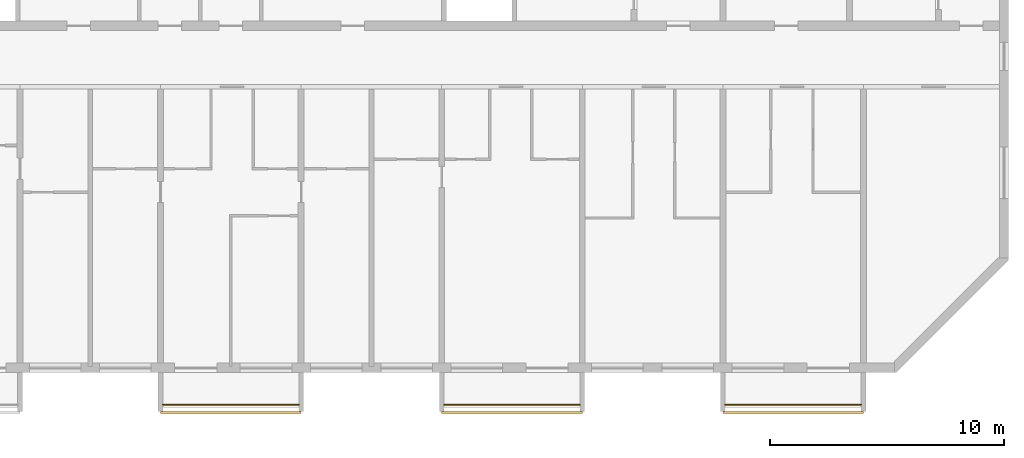
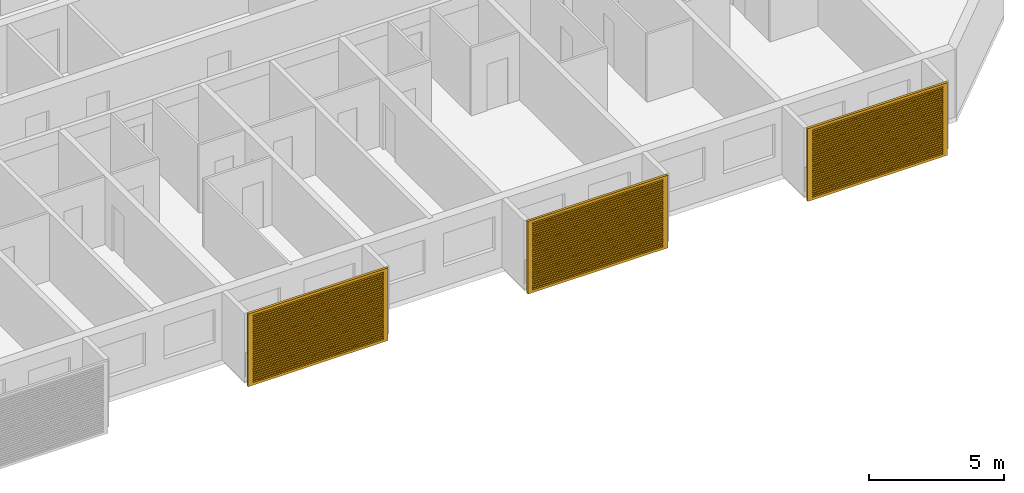
# One storey, part 13 of 26: 3 railings, 3 shading devices.
"""IFC4 building model written with IfcOpenShell, lengths in metres."""

from ifc_helpers import new_model, si_unit, direction, frame, origin, origin_2d, place, context, subcontext, project, spatial, polyline, circle, outline, extrude, source, transform, mapped, material, material_profile, profile_set, type_object, element, save


model = new_model("IFC4")

# Units and contexts
model_context = context("Model", 3, precision=1e-05, world=origin(), true_north=direction((0.0, 1.0)))
body_context = subcontext(model_context, "Body", "Model", "MODEL_VIEW")
ifc_project = project(units=[si_unit("LENGTHUNIT", "METRE"), si_unit("AREAUNIT", "SQUARE_METRE"), si_unit("VOLUMEUNIT", "CUBIC_METRE"), si_unit("PLANEANGLEUNIT", "RADIAN"), si_unit("MASSUNIT", "GRAM", prefix="KILO")], contexts=[model_context])

# Site, building, storey
site_placement = place(None, origin())
site = spatial("IfcSite", under=ifc_project, at=site_placement, CompositionType="ELEMENT")
building_placement = place(site_placement, origin())
building = spatial("IfcBuilding", under=site, at=building_placement, Name="Poui Terraces", CompositionType="ELEMENT")
storey_placement = place(building_placement, frame((0.0, 0.0, 175.199951171875)))
storey = spatial("IfcBuildingStorey", under=building, at=storey_placement, Name="L48", CompositionType="ELEMENT", Elevation=175.199951171875)

# Railings
ifc_material_1 = material(Name="Painted steel fretwork", Category="steel")
railing_type = type_object("IfcRailingType", Name="BALCONY GUARD 1100", PredefinedType="GUARDRAIL", material=ifc_material_1)
for number, where, name in (
    (1, (48.10009765625, -1.570068359375, 0.0), "BALCONY GUARD"),
    (2, (60.10009765625, -1.570068359375, 0.0), "BALCONY GUARD"),
    (3, (72.10009765625, -1.570068359375, 0.0), "BALCONY GUARD"),
):
    element("IfcRailing", number, at=place(storey_placement, frame(where)), inside=storey, type_object=railing_type, Name=name, PredefinedType="GUARDRAIL", context=body_context, shape_type="SweptSolid", body=[
        extrude(circle(Radius=0.02392578125, at=origin_2d()), frame((0.0, 0.0, 1.076171875), z_axis=(1.0, 0.0, 0.0), x_axis=(0.0, 1.0, 0.0)), (0.0, 0.0, 1.0), 5.7998046875),
        extrude(circle(Radius=0.02099609375, at=origin_2d()), origin(), (0.0, 0.0, 1.0), 1.052001953125),
        extrude(circle(Radius=0.02099609375, at=origin_2d()), frame((0.966552734375, 0.0, 0.0)), (0.0, 0.0, 1.0), 1.052001953125),
        extrude(circle(Radius=0.02099609375, at=origin_2d()), frame((1.933349609375, 0.0, 0.0)), (0.0, 0.0, 1.0), 1.052001953125),
        extrude(circle(Radius=0.02099609375, at=origin_2d()), frame((2.89990234375, 0.0, 0.0)), (0.0, 0.0, 1.0), 1.052001953125),
        extrude(circle(Radius=0.02099609375, at=origin_2d()), frame((3.866455078125, 0.0, 0.0)), (0.0, 0.0, 1.0), 1.052001953125),
        extrude(circle(Radius=0.02099609375, at=origin_2d()), frame((4.833251953125, 0.0, 0.0)), (0.0, 0.0, 1.0), 1.052001953125),
        extrude(circle(Radius=0.02099609375, at=origin_2d()), frame((5.7998046875, 0.0, 0.0)), (0.0, 0.0, 1.0), 1.052001953125),
    ])

# Shading devices
ifc_material_2 = material(Name="Aluminium louvre", Category="aluminium")
ifc_material_profile = material_profile(ifc_material_2, outline(polyline([(-3.0, -1.64990234375), (3.0, -1.64990234375), (3.0, 1.64990234375), (-3.0, 1.64990234375), (-3.0, -1.64990234375)]), holes=[polyline([(-2.800048828125, -1.530029296875), (2.800048828125, -1.530029296875), (2.800048828125, -1.469970703125), (-2.800048828125, -1.469970703125), (-2.800048828125, -1.530029296875)]), polyline([(-2.800048828125, -1.429931640625), (2.800048828125, -1.429931640625), (2.800048828125, -1.3701171875), (-2.800048828125, -1.3701171875), (-2.800048828125, -1.429931640625)]), polyline([(-2.800048828125, -1.330078125), (2.800048828125, -1.330078125), (2.800048828125, -1.27001953125), (-2.800048828125, -1.27001953125), (-2.800048828125, -1.330078125)]), polyline([(-2.800048828125, -1.22998046875), (2.800048828125, -1.22998046875), (2.800048828125, -1.169921875), (-2.800048828125, -1.169921875), (-2.800048828125, -1.22998046875)]), polyline([(-2.800048828125, -1.1298828125), (2.800048828125, -1.1298828125), (2.800048828125, -1.070068359375), (-2.800048828125, -1.070068359375), (-2.800048828125, -1.1298828125)]), polyline([(-2.800048828125, -1.030029296875), (2.800048828125, -1.030029296875), (2.800048828125, -0.969970703125), (-2.800048828125, -0.969970703125), (-2.800048828125, -1.030029296875)]), polyline([(-2.800048828125, -0.929931640625), (2.800048828125, -0.929931640625), (2.800048828125, -0.8701171875), (-2.800048828125, -0.8701171875), (-2.800048828125, -0.929931640625)]), polyline([(-2.800048828125, -0.830078125), (2.800048828125, -0.830078125), (2.800048828125, -0.77001953125), (-2.800048828125, -0.77001953125), (-2.800048828125, -0.830078125)]), polyline([(-2.800048828125, -0.72998046875), (2.800048828125, -0.72998046875), (2.800048828125, -0.669921875), (-2.800048828125, -0.669921875), (-2.800048828125, -0.72998046875)]), polyline([(-2.800048828125, -0.6298828125), (2.800048828125, -0.6298828125), (2.800048828125, -0.570068359375), (-2.800048828125, -0.570068359375), (-2.800048828125, -0.6298828125)]), polyline([(-2.800048828125, -0.530029296875), (2.800048828125, -0.530029296875), (2.800048828125, -0.469970703125), (-2.800048828125, -0.469970703125), (-2.800048828125, -0.530029296875)]), polyline([(-2.800048828125, -0.429931640625), (2.800048828125, -0.429931640625), (2.800048828125, -0.3701171875), (-2.800048828125, -0.3701171875), (-2.800048828125, -0.429931640625)]), polyline([(-2.800048828125, -0.330078125), (2.800048828125, -0.330078125), (2.800048828125, -0.27001953125), (-2.800048828125, -0.27001953125), (-2.800048828125, -0.330078125)]), polyline([(-2.800048828125, -0.22998046875), (2.800048828125, -0.22998046875), (2.800048828125, -0.169921875), (-2.800048828125, -0.169921875), (-2.800048828125, -0.22998046875)]), polyline([(-2.800048828125, -0.1298828125), (2.800048828125, -0.1298828125), (2.800048828125, -0.070068359375), (-2.800048828125, -0.070068359375), (-2.800048828125, -0.1298828125)]), polyline([(-2.800048828125, -0.030029296875), (2.800048828125, -0.030029296875), (2.800048828125, 0.030029296875), (-2.800048828125, 0.030029296875), (-2.800048828125, -0.030029296875)]), polyline([(-2.800048828125, 0.070068359375), (2.800048828125, 0.070068359375), (2.800048828125, 0.1298828125), (-2.800048828125, 0.1298828125), (-2.800048828125, 0.070068359375)]), polyline([(-2.800048828125, 0.169921875), (2.800048828125, 0.169921875), (2.800048828125, 0.22998046875), (-2.800048828125, 0.22998046875), (-2.800048828125, 0.169921875)]), polyline([(-2.800048828125, 0.27001953125), (2.800048828125, 0.27001953125), (2.800048828125, 0.330078125), (-2.800048828125, 0.330078125), (-2.800048828125, 0.27001953125)]), polyline([(-2.800048828125, 0.3701171875), (2.800048828125, 0.3701171875), (2.800048828125, 0.429931640625), (-2.800048828125, 0.429931640625), (-2.800048828125, 0.3701171875)]), polyline([(-2.800048828125, 0.469970703125), (2.800048828125, 0.469970703125), (2.800048828125, 0.530029296875), (-2.800048828125, 0.530029296875), (-2.800048828125, 0.469970703125)]), polyline([(-2.800048828125, 0.570068359375), (2.800048828125, 0.570068359375), (2.800048828125, 0.6298828125), (-2.800048828125, 0.6298828125), (-2.800048828125, 0.570068359375)]), polyline([(-2.800048828125, 0.669921875), (2.800048828125, 0.669921875), (2.800048828125, 0.72998046875), (-2.800048828125, 0.72998046875), (-2.800048828125, 0.669921875)]), polyline([(-2.800048828125, 0.77001953125), (2.800048828125, 0.77001953125), (2.800048828125, 0.830078125), (-2.800048828125, 0.830078125), (-2.800048828125, 0.77001953125)]), polyline([(-2.800048828125, 0.8701171875), (2.800048828125, 0.8701171875), (2.800048828125, 0.929931640625), (-2.800048828125, 0.929931640625), (-2.800048828125, 0.8701171875)]), polyline([(-2.800048828125, 0.969970703125), (2.800048828125, 0.969970703125), (2.800048828125, 1.030029296875), (-2.800048828125, 1.030029296875), (-2.800048828125, 0.969970703125)]), polyline([(-2.800048828125, 1.070068359375), (2.800048828125, 1.070068359375), (2.800048828125, 1.1298828125), (-2.800048828125, 1.1298828125), (-2.800048828125, 1.070068359375)]), polyline([(-2.800048828125, 1.169921875), (2.800048828125, 1.169921875), (2.800048828125, 1.22998046875), (-2.800048828125, 1.22998046875), (-2.800048828125, 1.169921875)]), polyline([(-2.800048828125, 1.27001953125), (2.800048828125, 1.27001953125), (2.800048828125, 1.330078125), (-2.800048828125, 1.330078125), (-2.800048828125, 1.27001953125)]), polyline([(-2.800048828125, 1.3701171875), (2.800048828125, 1.3701171875), (2.800048828125, 1.429931640625), (-2.800048828125, 1.429931640625), (-2.800048828125, 1.3701171875)]), polyline([(-2.800048828125, 1.469970703125), (2.800048828125, 1.469970703125), (2.800048828125, 1.530029296875), (-2.800048828125, 1.530029296875), (-2.800048828125, 1.469970703125)])]), Name="JALOUSIE LOUVRE SHUTTER 6000X3300")
ifc_profile_set = profile_set([ifc_material_profile], Name="Aluminium louvre")
shading_device_type = type_object("IfcShadingDeviceType", Name="JALOUSIE LOUVRE SHUTTER 6000X3300", PredefinedType="JALOUSIE", material=ifc_profile_set)
shared_shape = source(origin(), body_context, "Body", "SweptSolid", [
    extrude(outline(polyline([(-3.0, -1.64990234375), (3.0, -1.64990234375), (3.0, 1.64990234375), (-3.0, 1.64990234375), (-3.0, -1.64990234375)]), holes=[polyline([(-2.800048828125, -1.530029296875), (2.800048828125, -1.530029296875), (2.800048828125, -1.469970703125), (-2.800048828125, -1.469970703125), (-2.800048828125, -1.530029296875)]), polyline([(-2.800048828125, -1.429931640625), (2.800048828125, -1.429931640625), (2.800048828125, -1.3701171875), (-2.800048828125, -1.3701171875), (-2.800048828125, -1.429931640625)]), polyline([(-2.800048828125, -1.330078125), (2.800048828125, -1.330078125), (2.800048828125, -1.27001953125), (-2.800048828125, -1.27001953125), (-2.800048828125, -1.330078125)]), polyline([(-2.800048828125, -1.22998046875), (2.800048828125, -1.22998046875), (2.800048828125, -1.169921875), (-2.800048828125, -1.169921875), (-2.800048828125, -1.22998046875)]), polyline([(-2.800048828125, -1.1298828125), (2.800048828125, -1.1298828125), (2.800048828125, -1.070068359375), (-2.800048828125, -1.070068359375), (-2.800048828125, -1.1298828125)]), polyline([(-2.800048828125, -1.030029296875), (2.800048828125, -1.030029296875), (2.800048828125, -0.969970703125), (-2.800048828125, -0.969970703125), (-2.800048828125, -1.030029296875)]), polyline([(-2.800048828125, -0.929931640625), (2.800048828125, -0.929931640625), (2.800048828125, -0.8701171875), (-2.800048828125, -0.8701171875), (-2.800048828125, -0.929931640625)]), polyline([(-2.800048828125, -0.830078125), (2.800048828125, -0.830078125), (2.800048828125, -0.77001953125), (-2.800048828125, -0.77001953125), (-2.800048828125, -0.830078125)]), polyline([(-2.800048828125, -0.72998046875), (2.800048828125, -0.72998046875), (2.800048828125, -0.669921875), (-2.800048828125, -0.669921875), (-2.800048828125, -0.72998046875)]), polyline([(-2.800048828125, -0.6298828125), (2.800048828125, -0.6298828125), (2.800048828125, -0.570068359375), (-2.800048828125, -0.570068359375), (-2.800048828125, -0.6298828125)]), polyline([(-2.800048828125, -0.530029296875), (2.800048828125, -0.530029296875), (2.800048828125, -0.469970703125), (-2.800048828125, -0.469970703125), (-2.800048828125, -0.530029296875)]), polyline([(-2.800048828125, -0.429931640625), (2.800048828125, -0.429931640625), (2.800048828125, -0.3701171875), (-2.800048828125, -0.3701171875), (-2.800048828125, -0.429931640625)]), polyline([(-2.800048828125, -0.330078125), (2.800048828125, -0.330078125), (2.800048828125, -0.27001953125), (-2.800048828125, -0.27001953125), (-2.800048828125, -0.330078125)]), polyline([(-2.800048828125, -0.22998046875), (2.800048828125, -0.22998046875), (2.800048828125, -0.169921875), (-2.800048828125, -0.169921875), (-2.800048828125, -0.22998046875)]), polyline([(-2.800048828125, -0.1298828125), (2.800048828125, -0.1298828125), (2.800048828125, -0.070068359375), (-2.800048828125, -0.070068359375), (-2.800048828125, -0.1298828125)]), polyline([(-2.800048828125, -0.030029296875), (2.800048828125, -0.030029296875), (2.800048828125, 0.030029296875), (-2.800048828125, 0.030029296875), (-2.800048828125, -0.030029296875)]), polyline([(-2.800048828125, 0.070068359375), (2.800048828125, 0.070068359375), (2.800048828125, 0.1298828125), (-2.800048828125, 0.1298828125), (-2.800048828125, 0.070068359375)]), polyline([(-2.800048828125, 0.169921875), (2.800048828125, 0.169921875), (2.800048828125, 0.22998046875), (-2.800048828125, 0.22998046875), (-2.800048828125, 0.169921875)]), polyline([(-2.800048828125, 0.27001953125), (2.800048828125, 0.27001953125), (2.800048828125, 0.330078125), (-2.800048828125, 0.330078125), (-2.800048828125, 0.27001953125)]), polyline([(-2.800048828125, 0.3701171875), (2.800048828125, 0.3701171875), (2.800048828125, 0.429931640625), (-2.800048828125, 0.429931640625), (-2.800048828125, 0.3701171875)]), polyline([(-2.800048828125, 0.469970703125), (2.800048828125, 0.469970703125), (2.800048828125, 0.530029296875), (-2.800048828125, 0.530029296875), (-2.800048828125, 0.469970703125)]), polyline([(-2.800048828125, 0.570068359375), (2.800048828125, 0.570068359375), (2.800048828125, 0.6298828125), (-2.800048828125, 0.6298828125), (-2.800048828125, 0.570068359375)]), polyline([(-2.800048828125, 0.669921875), (2.800048828125, 0.669921875), (2.800048828125, 0.72998046875), (-2.800048828125, 0.72998046875), (-2.800048828125, 0.669921875)]), polyline([(-2.800048828125, 0.77001953125), (2.800048828125, 0.77001953125), (2.800048828125, 0.830078125), (-2.800048828125, 0.830078125), (-2.800048828125, 0.77001953125)]), polyline([(-2.800048828125, 0.8701171875), (2.800048828125, 0.8701171875), (2.800048828125, 0.929931640625), (-2.800048828125, 0.929931640625), (-2.800048828125, 0.8701171875)]), polyline([(-2.800048828125, 0.969970703125), (2.800048828125, 0.969970703125), (2.800048828125, 1.030029296875), (-2.800048828125, 1.030029296875), (-2.800048828125, 0.969970703125)]), polyline([(-2.800048828125, 1.070068359375), (2.800048828125, 1.070068359375), (2.800048828125, 1.1298828125), (-2.800048828125, 1.1298828125), (-2.800048828125, 1.070068359375)]), polyline([(-2.800048828125, 1.169921875), (2.800048828125, 1.169921875), (2.800048828125, 1.22998046875), (-2.800048828125, 1.22998046875), (-2.800048828125, 1.169921875)]), polyline([(-2.800048828125, 1.27001953125), (2.800048828125, 1.27001953125), (2.800048828125, 1.330078125), (-2.800048828125, 1.330078125), (-2.800048828125, 1.27001953125)]), polyline([(-2.800048828125, 1.3701171875), (2.800048828125, 1.3701171875), (2.800048828125, 1.429931640625), (-2.800048828125, 1.429931640625), (-2.800048828125, 1.3701171875)]), polyline([(-2.800048828125, 1.469970703125), (2.800048828125, 1.469970703125), (2.800048828125, 1.530029296875), (-2.800048828125, 1.530029296875), (-2.800048828125, 1.469970703125)])]), origin(), (0.0, 0.0, 1.0), 0.099853515625),
])
for number, where, z_axis, x_axis, name in (
    (4, (51.0, -1.85009765625, 1.449951171875), (0.0, -1.0, 0.0), (1.0, 0.0, 0.0), "JALOUSIE LOUVRE SHUTTER"),
    (5, (63.0, -1.85009765625, 1.449951171875), (0.0, -1.0, 0.0), (1.0, 0.0, 0.0), "JALOUSIE LOUVRE SHUTTER"),
    (6, (75.0, -1.85009765625, 1.449951171875), (0.0, -1.0, 0.0), (1.0, 0.0, 0.0), "JALOUSIE LOUVRE SHUTTER"),
):
    element("IfcShadingDevice", number, at=place(storey_placement, frame(where, z_axis=z_axis, x_axis=x_axis)), inside=storey, type_object=shading_device_type, Name=name, PredefinedType="JALOUSIE", context=body_context, shape_type="MappedRepresentation", body=[
        mapped(shared_shape, transform((0.0, 0.0, 0.0))),
    ])

save(model, "model.ifc")
